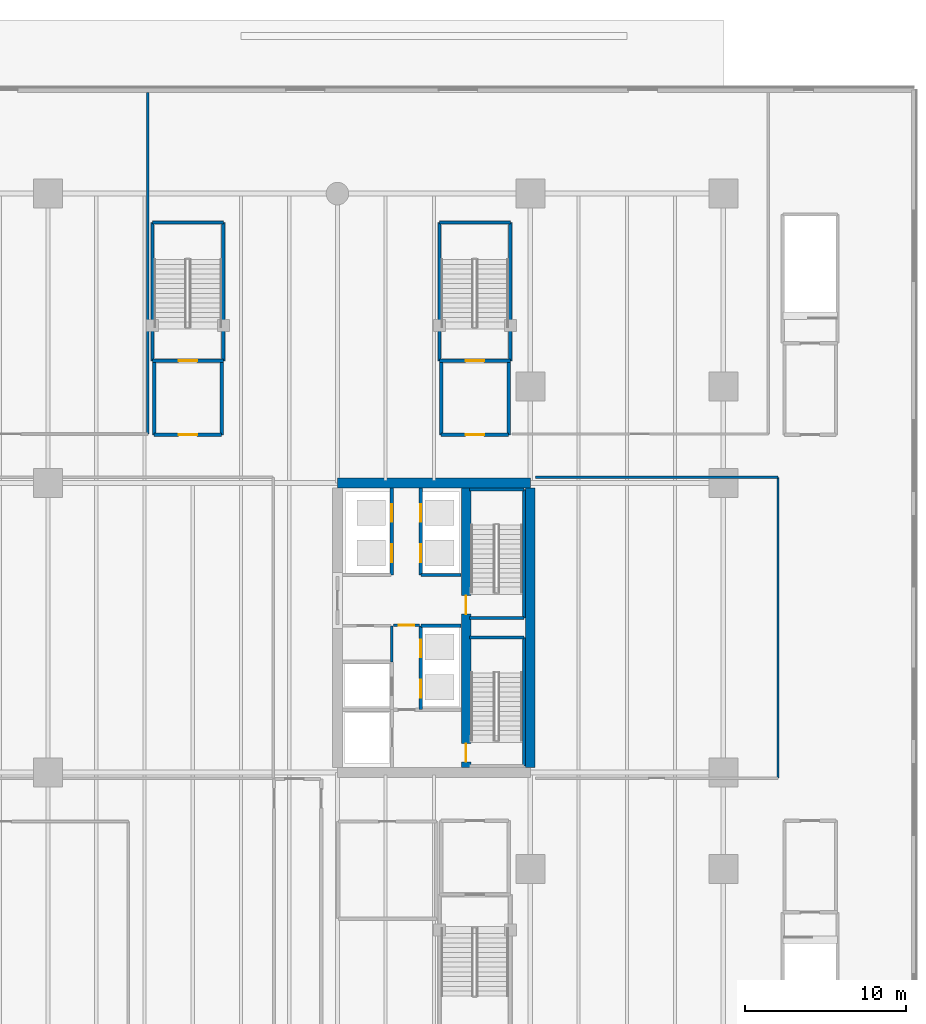
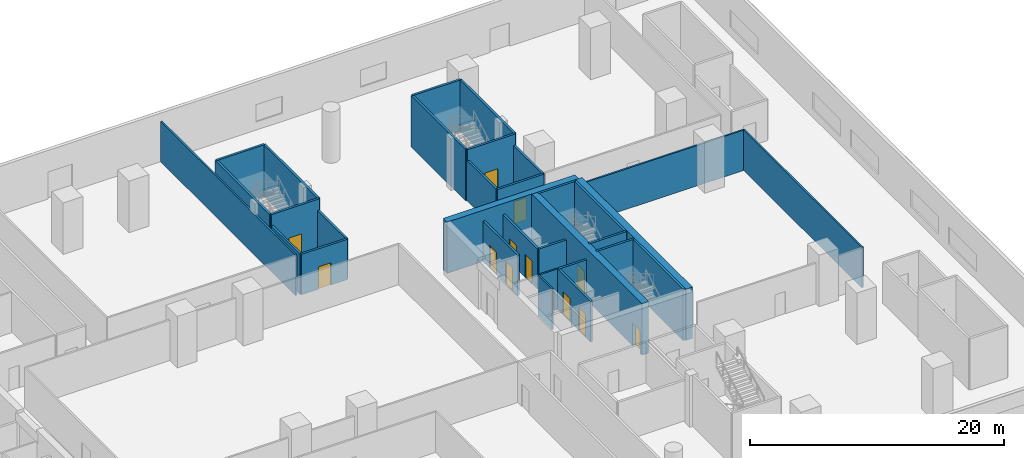
# One storey, part 9 of 25: 32 walls, 13 doors, 13 openings.
"""IFC4 building model written with IfcOpenShell, lengths in metres."""

from ifc_helpers import new_model, si_unit, direction, frame, frame_2d, origin, place, context, subcontext, project, spatial, rectangle, extrude, material, layer, layer_set, type_object, element, fill, save


model = new_model("IFC4")

# Units and contexts
model_context = context("Model", 3, precision=1e-05, world=origin(), true_north=direction((0.0, 1.0)))
body_context = subcontext(model_context, "Body", "Model", "MODEL_VIEW")
ifc_project = project(units=[si_unit("LENGTHUNIT", "METRE"), si_unit("AREAUNIT", "SQUARE_METRE"), si_unit("VOLUMEUNIT", "CUBIC_METRE"), si_unit("PLANEANGLEUNIT", "RADIAN"), si_unit("MASSUNIT", "GRAM", prefix="KILO")], contexts=[model_context])

# Site, building, storey
site_placement = place(None, origin())
site = spatial("IfcSite", under=ifc_project, at=site_placement, CompositionType="ELEMENT")
building_placement = place(site_placement, origin())
building = spatial("IfcBuilding", under=site, at=building_placement, Name="Tanjung Sevakor Pilgrim Tower", CompositionType="ELEMENT")
storey_placement = place(building_placement, origin())
storey = spatial("IfcBuildingStorey", under=building, at=storey_placement, Name="L01", CompositionType="ELEMENT", Elevation=0.0)

# Walls
ifc_material_1 = material(Name="Concrete C60/75", Category="concrete")
ifc_layer_1 = layer(ifc_material_1, 0.60009765625)
ifc_layer_set_1 = layer_set([ifc_layer_1], Name="WALL-CW-600")
wall_type_1 = type_object("IfcWallType", Name="WALL-CW-600", PredefinedType="SHEAR", material=ifc_layer_set_1)
wall_1_placement = place(storey_placement, frame((90.0, 42.60009765625, 0.0), z_axis=(0.0, 0.0, 1.0), x_axis=(-1.0, 0.0, 0.0)))
element("IfcWall", 1, at=wall_1_placement, inside=storey, type_object=wall_type_1, Name="L01 E Core North Shear Wall", PredefinedType="SHEAR", context=body_context, shape_type="SweptSolid", body=[
    extrude(rectangle(XDim=12.0, YDim=0.60009765625, at=frame_2d((6.0, 0.0))), origin(), (0.0, 0.0, 1.0), 4.949951171875),
])
wall_2_placement = place(storey_placement, frame((90.0, 24.89990234375, 0.0), z_axis=(0.0, 0.0, 1.0), x_axis=(0.0, 1.0, 0.0)))
element("IfcWall", 2, at=wall_2_placement, inside=storey, type_object=wall_type_1, Name="L01 E Core Outer Shear Wall", PredefinedType="SHEAR", context=body_context, shape_type="SweptSolid", body=[
    extrude(rectangle(XDim=17.400146484375, YDim=0.60009765625, at=frame_2d((8.7001953125, 0.0))), origin(), (0.0, 0.0, 1.0), 4.949951171875),
])

# Wall, openings, doors
wall_3_placement = place(storey_placement, frame((86.0, 24.89990234375, 0.0), z_axis=(0.0, 0.0, 1.0), x_axis=(0.0, 1.0, 0.0)))
wall_3 = element("IfcWall", 3, at=wall_3_placement, inside=storey, type_object=wall_type_1, Name="L01 E Core Stair Spine Wall", PredefinedType="SHEAR", context=body_context, shape_type="SweptSolid", body=[
    extrude(rectangle(XDim=17.400146484375, YDim=0.60009765625, at=frame_2d((8.7001953125, 0.0))), origin(), (0.0, 0.0, 1.0), 4.949951171875),
])
opening_1_placement = place(wall_3_placement, frame((0.35009765625, 0.0, 0.0)))
opening_1 = element("IfcOpeningElement", 4, at=opening_1_placement, cuts=wall_3, Name="Opening ID-ST1", PredefinedType="OPENING", context=body_context, shape_type="SweptSolid", body=[
    extrude(rectangle(XDim=1.14990234375, YDim=2.14990234375, at=frame_2d((0.574951171875, 1.074951171875))), frame((0.0, 0.31005859375, 0.0), z_axis=(0.0, -1.0, 0.0), x_axis=(1.0, 0.0, 0.0)), (0.0, 0.0, 1.0), 0.6201171875),
])
opening_2_placement = place(wall_3_placement, frame((9.550048828125, 0.0, 0.0)))
opening_2 = element("IfcOpeningElement", 5, at=opening_2_placement, cuts=wall_3, Name="Opening ID-ST1", PredefinedType="OPENING", context=body_context, shape_type="SweptSolid", body=[
    extrude(rectangle(XDim=1.14990234375, YDim=2.14990234375, at=frame_2d((0.574951171875, 1.074951171875))), frame((0.0, 0.31005859375, 0.0), z_axis=(0.0, -1.0, 0.0), x_axis=(1.0, 0.0, 0.0)), (0.0, 0.0, 1.0), 0.6201171875),
])
ifc_material_2 = material(Name="Fire-Rated Steel S355J2", Category="steel")
door_type_1 = type_object("IfcDoorType", Name="DT-FIRE-1150", OperationType="NOTDEFINED", PredefinedType="DOOR", material=ifc_material_2)
door_1_placement = place(opening_1_placement, origin())
door_1 = element("IfcDoor", 6, at=door_1_placement, inside=storey, type_object=door_type_1, Name="L01 TS-E1 Stair Fire Door", OperationType="SINGLE_SWING_LEFT", OverallHeight=2.14990234375, OverallWidth=1.14990234375, PredefinedType="DOOR", context=body_context, shape_type="SweptSolid", body=[
    extrude(rectangle(XDim=1.14990234375, YDim=2.14990234375, at=frame_2d((0.574951171875, 1.074951171875))), frame((0.0, 0.02490234375, 0.0), z_axis=(0.0, -1.0, 0.0), x_axis=(1.0, 0.0, 0.0)), (0.0, 0.0, 1.0), 0.050048828125),
])
fill(opening_1, door_1)
door_2_placement = place(opening_2_placement, origin())
door_2 = element("IfcDoor", 7, at=door_2_placement, inside=storey, type_object=door_type_1, Name="L01 TS-E2 Stair Fire Door", OperationType="SINGLE_SWING_RIGHT", OverallHeight=2.14990234375, OverallWidth=1.14990234375, PredefinedType="DOOR", context=body_context, shape_type="SweptSolid", body=[
    extrude(rectangle(XDim=1.14990234375, YDim=2.14990234375, at=frame_2d((0.574951171875, 1.074951171875))), frame((0.0, 0.02490234375, 0.0), z_axis=(0.0, -1.0, 0.0), x_axis=(1.0, 0.0, 0.0)), (0.0, 0.0, 1.0), 0.050048828125),
])
fill(opening_2, door_2)

# Wall, opening, door
ifc_material_3 = material(Name="Concrete C40/50", Category="concrete")
ifc_layer_2 = layer(ifc_material_3, 0.14990234375)
ifc_layer_set_2 = layer_set([ifc_layer_2], Name="WT-COMP-150")
wall_type_2 = type_object("IfcWallType", Name="WT-COMP-150", PredefinedType="SOLIDWALL", material=ifc_layer_set_2)
wall_4_placement = place(storey_placement, frame((81.5, 33.760009765625, 0.0), z_axis=(0.0, 0.0, 1.0), x_axis=(1.0, 0.0, 0.0)))
wall_4 = element("IfcWall", 8, at=wall_4_placement, inside=storey, type_object=wall_type_2, Name="L01 Partition IW-L01-018", PredefinedType="SOLIDWALL", context=body_context, shape_type="SweptSolid", body=[
    extrude(rectangle(XDim=1.60009765625, YDim=0.14990234375, at=frame_2d((0.800048828125, 0.0))), origin(), (0.0, 0.0, 1.0), 3.889892578125),
])
opening_3_placement = place(wall_4_placement, frame((0.324951171875, 0.0, 0.0)))
opening_3 = element("IfcOpeningElement", 9, at=opening_3_placement, cuts=wall_4, Name="Opening ID-FD2", PredefinedType="OPENING", context=body_context, shape_type="SweptSolid", body=[
    extrude(rectangle(XDim=0.949951171875, YDim=2.14990234375, at=frame_2d((0.47509765625, 1.074951171875))), frame((0.0, 0.0849609375, 0.0), z_axis=(0.0, -1.0, 0.0), x_axis=(1.0, 0.0, 0.0)), (0.0, 0.0, 1.0), 0.169921875),
])
ifc_material_4 = material(Name="Fire-Rated Timber", Category="wood")
door_type_2 = type_object("IfcDoorType", Name="DT-FIRE-950", OperationType="NOTDEFINED", PredefinedType="DOOR", material=ifc_material_4)
door_3_placement = place(opening_3_placement, origin())
door_3 = element("IfcDoor", 10, at=door_3_placement, inside=storey, type_object=door_type_2, Name="L01 South Core E Exit Door", OperationType="SINGLE_SWING_LEFT", OverallHeight=2.14990234375, OverallWidth=0.949951171875, PredefinedType="DOOR", context=body_context, shape_type="SweptSolid", body=[
    extrude(rectangle(XDim=0.949951171875, YDim=2.14990234375, at=frame_2d((0.47509765625, 1.074951171875))), frame((0.0, 0.02490234375, 0.0), z_axis=(0.0, -1.0, 0.0), x_axis=(1.0, 0.0, 0.0)), (0.0, 0.0, 1.0), 0.050048828125),
])
fill(opening_3, door_3)

# Walls
wall_5_placement = place(storey_placement, frame((81.3798828125, 31.47998046875, 0.0), z_axis=(0.0, 0.0, 1.0), x_axis=(0.0, 1.0, 0.0)))
element("IfcWall", 11, at=wall_5_placement, inside=storey, type_object=wall_type_2, Name="L01 Partition IW-L01-023", PredefinedType="SOLIDWALL", context=body_context, shape_type="SweptSolid", body=[
    extrude(rectangle(XDim=2.239990234375, YDim=0.14990234375, at=frame_2d((1.1201171875, 0.0))), origin(), (0.0, 0.0, 1.0), 3.889892578125),
])
wall_6_placement = place(storey_placement, frame((66.199951171875, 45.64990234375, 0.0), z_axis=(0.0, 0.0, 1.0), x_axis=(0.0, 1.0, 0.0)))
element("IfcWall", 12, at=wall_6_placement, inside=storey, type_object=wall_type_2, Name="L01 Partition IW-L01-076", PredefinedType="SOLIDWALL", context=body_context, shape_type="SweptSolid", body=[
    extrude(rectangle(XDim=21.25, YDim=0.14990234375, at=frame_2d((10.625, 0.0))), origin(), (0.0, 0.0, 1.0), 3.889892578125),
])
wall_7_placement = place(storey_placement, frame((90.320068359375, 42.949951171875, 0.0), z_axis=(0.0, 0.0, 1.0), x_axis=(1.0, 0.0, 0.0)))
element("IfcWall", 13, at=wall_7_placement, inside=storey, type_object=wall_type_2, Name="L01 Partition IW-L01-086", PredefinedType="SOLIDWALL", context=body_context, shape_type="SweptSolid", body=[
    extrude(rectangle(XDim=15.079833984375, YDim=0.14990234375, at=frame_2d((7.5400390625, 0.0))), origin(), (0.0, 0.0, 1.0), 3.889892578125),
])
wall_8_placement = place(storey_placement, frame((105.39990234375, 24.25, 0.0), z_axis=(0.0, 0.0, 1.0), x_axis=(0.0, 1.0, 0.0)))
element("IfcWall", 14, at=wall_8_placement, inside=storey, type_object=wall_type_2, Name="L01 Partition IW-L01-087", PredefinedType="SOLIDWALL", context=body_context, shape_type="SweptSolid", body=[
    extrude(rectangle(XDim=18.699951171875, YDim=0.14990234375, at=frame_2d((9.35009765625, 0.0))), origin(), (0.0, 0.0, 1.0), 3.889892578125),
])
ifc_material_5 = material(Name="Concrete C40/50", Category="concrete")
ifc_layer_3 = layer(ifc_material_5, 0.199951171875)
ifc_layer_set_3 = layer_set([ifc_layer_3], Name="WT-FIRE-200")
wall_type_3 = type_object("IfcWallType", Name="WT-FIRE-200", PredefinedType="SOLIDWALL", material=ifc_layer_set_3)
wall_9_placement = place(storey_placement, frame((89.60009765625, 25.0, 0.0), z_axis=(0.0, 0.0, 1.0), x_axis=(0.0, 1.0, 0.0)))
element("IfcWall", 15, at=wall_9_placement, inside=storey, type_object=wall_type_3, Name="L01 TS-E1 Shaft Wall 2", PredefinedType="SOLIDWALL", context=body_context, shape_type="SweptSolid", body=[
    extrude(rectangle(XDim=8.0, YDim=0.199951171875, at=frame_2d((4.0, 0.0))), origin(), (0.0, 0.0, 1.0), 4.949951171875),
])
for number, where, z_axis, x_axis, name in (
    (16, (89.60009765625, 33.0, 0.0), (0.0, 0.0, 1.0), (-1.0, 0.0, 0.0), "L01 TS-E1 Shaft Wall 3"),
    (17, (86.199951171875, 34.199951171875, 0.0), (0.0, 0.0, 1.0), (1.0, 0.0, 0.0), "L01 TS-E2 Shaft Wall 1"),
):
    element("IfcWall", number, at=place(storey_placement, frame(where, z_axis=z_axis, x_axis=x_axis)), inside=storey, type_object=wall_type_3, Name=name, PredefinedType="SOLIDWALL", context=body_context, shape_type="SweptSolid", body=[
        extrude(rectangle(XDim=3.400146484375, YDim=0.199951171875, at=frame_2d((1.7001953125, 0.0))), origin(), (0.0, 0.0, 1.0), 4.949951171875),
    ])
wall_10_placement = place(storey_placement, frame((89.60009765625, 34.199951171875, 0.0), z_axis=(0.0, 0.0, 1.0), x_axis=(0.0, 1.0, 0.0)))
element("IfcWall", 18, at=wall_10_placement, inside=storey, type_object=wall_type_3, Name="L01 TS-E2 Shaft Wall 2", PredefinedType="SOLIDWALL", context=body_context, shape_type="SweptSolid", body=[
    extrude(rectangle(XDim=8.0, YDim=0.199951171875, at=frame_2d((4.0, 0.0))), origin(), (0.0, 0.0, 1.0), 4.949951171875),
])
wall_11_placement = place(storey_placement, frame((89.60009765625, 42.199951171875, 0.0), z_axis=(0.0, 0.0, 1.0), x_axis=(-1.0, 0.0, 0.0)))
element("IfcWall", 19, at=wall_11_placement, inside=storey, type_object=wall_type_3, Name="L01 TS-E2 Shaft Wall 3", PredefinedType="SOLIDWALL", context=body_context, shape_type="SweptSolid", body=[
    extrude(rectangle(XDim=3.400146484375, YDim=0.199951171875, at=frame_2d((1.7001953125, 0.0))), origin(), (0.0, 0.0, 1.0), 4.949951171875),
])

# Wall, opening, door
wall_12_placement = place(storey_placement, frame((66.5, 50.199951171875, 0.0), z_axis=(0.0, 0.0, 1.0), x_axis=(1.0, 0.0, 0.0)))
wall_12 = element("IfcWall", 20, at=wall_12_placement, inside=storey, type_object=wall_type_3, Name="L01 PS-4 Shaft Wall 1", PredefinedType="SOLIDWALL", context=body_context, shape_type="SweptSolid", body=[
    extrude(rectangle(XDim=4.39990234375, YDim=0.199951171875, at=frame_2d((2.199951171875, 0.0))), origin(), (0.0, 0.0, 1.0), 4.949951171875),
])
opening_4_placement = place(wall_12_placement, frame((1.625, 0.0, 0.0)))
opening_4 = element("IfcOpeningElement", 21, at=opening_4_placement, cuts=wall_12, Name="Opening ID-ST1", PredefinedType="OPENING", context=body_context, shape_type="SweptSolid", body=[
    extrude(rectangle(XDim=1.14990234375, YDim=2.14990234375, at=frame_2d((0.574951171875, 1.074951171875))), frame((0.0, 0.10986328125, 0.0), z_axis=(0.0, -1.0, 0.0), x_axis=(1.0, 0.0, 0.0)), (0.0, 0.0, 1.0), 0.219970703125),
])
door_4_placement = place(opening_4_placement, frame((1.14990234375, 0.0, 0.0), z_axis=(0.0, 0.0, 1.0), x_axis=(-1.0, 0.0, 0.0)))
door_4 = element("IfcDoor", 22, at=door_4_placement, inside=storey, type_object=door_type_1, Name="L01 PS-4 Stair Entry Fire Door", OperationType="SINGLE_SWING_RIGHT", OverallHeight=2.14990234375, OverallWidth=1.14990234375, PredefinedType="DOOR", context=body_context, shape_type="SweptSolid", body=[
    extrude(rectangle(XDim=1.14990234375, YDim=2.14990234375, at=frame_2d((0.574951171875, 1.074951171875))), frame((0.0, 0.02490234375, 0.0), z_axis=(0.0, -1.0, 0.0), x_axis=(1.0, 0.0, 0.0)), (0.0, 0.0, 1.0), 0.050048828125),
])
fill(opening_4, door_4)

# Walls
wall_13_placement = place(storey_placement, frame((70.89990234375, 50.199951171875, 0.0), z_axis=(0.0, 0.0, 1.0), x_axis=(0.0, 1.0, 0.0)))
element("IfcWall", 23, at=wall_13_placement, inside=storey, type_object=wall_type_3, Name="L01 PS-4 Shaft Wall 2", PredefinedType="SOLIDWALL", context=body_context, shape_type="SweptSolid", body=[
    extrude(rectangle(XDim=8.60009765625, YDim=0.199951171875, at=frame_2d((4.300048828125, 0.0))), origin(), (0.0, 0.0, 1.0), 4.949951171875),
])
wall_14_placement = place(storey_placement, frame((70.89990234375, 58.800048828125, 0.0), z_axis=(0.0, 0.0, 1.0), x_axis=(-1.0, 0.0, 0.0)))
element("IfcWall", 24, at=wall_14_placement, inside=storey, type_object=wall_type_3, Name="L01 PS-4 Shaft Wall 3", PredefinedType="SOLIDWALL", context=body_context, shape_type="SweptSolid", body=[
    extrude(rectangle(XDim=4.39990234375, YDim=0.199951171875, at=frame_2d((2.199951171875, 0.0))), origin(), (0.0, 0.0, 1.0), 4.949951171875),
])
wall_15_placement = place(storey_placement, frame((66.5, 58.800048828125, 0.0), z_axis=(0.0, 0.0, 1.0), x_axis=(0.0, -1.0, 0.0)))
element("IfcWall", 25, at=wall_15_placement, inside=storey, type_object=wall_type_3, Name="L01 PS-4 Shaft Wall 4", PredefinedType="SOLIDWALL", context=body_context, shape_type="SweptSolid", body=[
    extrude(rectangle(XDim=8.60009765625, YDim=0.199951171875, at=frame_2d((4.300048828125, 0.0))), origin(), (0.0, 0.0, 1.0), 4.949951171875),
])

# Wall, opening, door
wall_16_placement = place(storey_placement, frame((84.35009765625, 50.199951171875, 0.0), z_axis=(0.0, 0.0, 1.0), x_axis=(1.0, 0.0, 0.0)))
wall_16 = element("IfcWall", 26, at=wall_16_placement, inside=storey, type_object=wall_type_3, Name="L01 PS-6 Shaft Wall 1", PredefinedType="SOLIDWALL", context=body_context, shape_type="SweptSolid", body=[
    extrude(rectangle(XDim=4.39990234375, YDim=0.199951171875, at=frame_2d((2.199951171875, 0.0))), origin(), (0.0, 0.0, 1.0), 4.949951171875),
])
opening_5_placement = place(wall_16_placement, frame((1.625, 0.0, 0.0)))
opening_5 = element("IfcOpeningElement", 27, at=opening_5_placement, cuts=wall_16, Name="Opening ID-ST1", PredefinedType="OPENING", context=body_context, shape_type="SweptSolid", body=[
    extrude(rectangle(XDim=1.14990234375, YDim=2.14990234375, at=frame_2d((0.574951171875, 1.074951171875))), frame((0.0, 0.10986328125, 0.0), z_axis=(0.0, -1.0, 0.0), x_axis=(1.0, 0.0, 0.0)), (0.0, 0.0, 1.0), 0.219970703125),
])
door_5_placement = place(opening_5_placement, frame((1.14990234375, 0.0, 0.0), z_axis=(0.0, 0.0, 1.0), x_axis=(-1.0, 0.0, 0.0)))
door_5 = element("IfcDoor", 28, at=door_5_placement, inside=storey, type_object=door_type_1, Name="L01 PS-6 Stair Entry Fire Door", OperationType="SINGLE_SWING_RIGHT", OverallHeight=2.14990234375, OverallWidth=1.14990234375, PredefinedType="DOOR", context=body_context, shape_type="SweptSolid", body=[
    extrude(rectangle(XDim=1.14990234375, YDim=2.14990234375, at=frame_2d((0.574951171875, 1.074951171875))), frame((0.0, 0.02490234375, 0.0), z_axis=(0.0, -1.0, 0.0), x_axis=(1.0, 0.0, 0.0)), (0.0, 0.0, 1.0), 0.050048828125),
])
fill(opening_5, door_5)

# Walls
wall_17_placement = place(storey_placement, frame((88.75, 50.199951171875, 0.0), z_axis=(0.0, 0.0, 1.0), x_axis=(0.0, 1.0, 0.0)))
element("IfcWall", 29, at=wall_17_placement, inside=storey, type_object=wall_type_3, Name="L01 PS-6 Shaft Wall 2", PredefinedType="SOLIDWALL", context=body_context, shape_type="SweptSolid", body=[
    extrude(rectangle(XDim=8.60009765625, YDim=0.199951171875, at=frame_2d((4.300048828125, 0.0))), origin(), (0.0, 0.0, 1.0), 4.949951171875),
])
wall_18_placement = place(storey_placement, frame((88.75, 58.800048828125, 0.0), z_axis=(0.0, 0.0, 1.0), x_axis=(-1.0, 0.0, 0.0)))
element("IfcWall", 30, at=wall_18_placement, inside=storey, type_object=wall_type_3, Name="L01 PS-6 Shaft Wall 3", PredefinedType="SOLIDWALL", context=body_context, shape_type="SweptSolid", body=[
    extrude(rectangle(XDim=4.39990234375, YDim=0.199951171875, at=frame_2d((2.199951171875, 0.0))), origin(), (0.0, 0.0, 1.0), 4.949951171875),
])
wall_19_placement = place(storey_placement, frame((84.35009765625, 58.800048828125, 0.0), z_axis=(0.0, 0.0, 1.0), x_axis=(0.0, -1.0, 0.0)))
element("IfcWall", 31, at=wall_19_placement, inside=storey, type_object=wall_type_3, Name="L01 PS-6 Shaft Wall 4", PredefinedType="SOLIDWALL", context=body_context, shape_type="SweptSolid", body=[
    extrude(rectangle(XDim=8.60009765625, YDim=0.199951171875, at=frame_2d((4.300048828125, 0.0))), origin(), (0.0, 0.0, 1.0), 4.949951171875),
])
ifc_material_6 = material(Name="Concrete C40/50", Category="concrete")
ifc_layer_4 = layer(ifc_material_6, 0.199951171875)
ifc_layer_set_4 = layer_set([ifc_layer_4], Name="WT-FPRT-200")
wall_type_4 = type_object("IfcWallType", Name="WT-FPRT-200", PredefinedType="SOLIDWALL", material=ifc_layer_set_4)
wall_20_placement = place(storey_placement, frame((83.199951171875, 33.719970703125, 0.0), z_axis=(0.0, 0.0, 1.0), x_axis=(1.0, 0.0, 0.0)))
element("IfcWall", 32, at=wall_20_placement, inside=storey, type_object=wall_type_4, Name="L01 Partition IW-L01-019", PredefinedType="SOLIDWALL", context=body_context, shape_type="SweptSolid", body=[
    extrude(rectangle(XDim=2.47998046875, YDim=0.199951171875, at=frame_2d((1.239990234375, 0.0))), origin(), (0.0, 0.0, 1.0), 3.889892578125),
])

# Wall, openings, doors
wall_21_placement = place(storey_placement, frame((83.179931640625, 28.5, 0.0), z_axis=(0.0, 0.0, 1.0), x_axis=(0.0, 1.0, 0.0)))
wall_21 = element("IfcWall", 33, at=wall_21_placement, inside=storey, type_object=wall_type_4, Name="L01 Partition IW-L01-020", PredefinedType="SOLIDWALL", context=body_context, shape_type="SweptSolid", body=[
    extrude(rectangle(XDim=5.219970703125, YDim=0.199951171875, at=frame_2d((2.60986328125, 0.0))), origin(), (0.0, 0.0, 1.0), 3.889892578125),
])
opening_6_placement = place(wall_21_placement, frame((0.75, 0.0, 0.0)))
opening_6 = element("IfcOpeningElement", 34, at=opening_6_placement, cuts=wall_21, Name="Opening LD-1100", PredefinedType="OPENING", context=body_context, shape_type="SweptSolid", body=[
    extrude(rectangle(XDim=1.10009765625, YDim=2.199951171875, at=frame_2d((0.550048828125, 1.10009765625))), frame((0.0, 0.10986328125, 0.0), z_axis=(0.0, -1.0, 0.0), x_axis=(1.0, 0.0, 0.0)), (0.0, 0.0, 1.0), 0.219970703125),
])
opening_7_placement = place(wall_21_placement, frame((3.25, 0.0, 0.0)))
opening_7 = element("IfcOpeningElement", 35, at=opening_7_placement, cuts=wall_21, Name="Opening LD-1100", PredefinedType="OPENING", context=body_context, shape_type="SweptSolid", body=[
    extrude(rectangle(XDim=1.10009765625, YDim=2.199951171875, at=frame_2d((0.550048828125, 1.10009765625))), frame((0.0, 0.10986328125, 0.0), z_axis=(0.0, -1.0, 0.0), x_axis=(1.0, 0.0, 0.0)), (0.0, 0.0, 1.0), 0.219970703125),
])
ifc_material_7 = material(Name="Brushed Stainless Steel S355J2", Category="steel")
door_type_3 = type_object("IfcDoorType", Name="DT-LIFT-1100", OperationType="SLIDING_TO_LEFT", PredefinedType="DOOR", material=ifc_material_7)
door_6_placement = place(opening_6_placement, origin())
door_6 = element("IfcDoor", 36, at=door_6_placement, inside=storey, type_object=door_type_3, Name="LD-PLL1-E", OperationType="SLIDING_TO_LEFT", OverallHeight=2.199951171875, OverallWidth=1.10009765625, PredefinedType="DOOR", context=body_context, shape_type="SweptSolid", body=[
    extrude(rectangle(XDim=1.10009765625, YDim=2.199951171875, at=frame_2d((0.550048828125, 1.10009765625))), frame((0.0, 0.02490234375, 0.0), z_axis=(0.0, -1.0, 0.0), x_axis=(1.0, 0.0, 0.0)), (0.0, 0.0, 1.0), 0.050048828125),
])
fill(opening_6, door_6)
door_7_placement = place(opening_7_placement, origin())
door_7 = element("IfcDoor", 37, at=door_7_placement, inside=storey, type_object=door_type_3, Name="LD-PLL2-E", OperationType="SLIDING_TO_RIGHT", OverallHeight=2.199951171875, OverallWidth=1.10009765625, PredefinedType="DOOR", context=body_context, shape_type="SweptSolid", body=[
    extrude(rectangle(XDim=1.10009765625, YDim=2.199951171875, at=frame_2d((0.550048828125, 1.10009765625))), frame((0.0, 0.02490234375, 0.0), z_axis=(0.0, -1.0, 0.0), x_axis=(1.0, 0.0, 0.0)), (0.0, 0.0, 1.0), 0.050048828125),
])
fill(opening_7, door_7)

# Wall
wall_22_placement = place(storey_placement, frame((83.199951171875, 36.8798828125, 0.0), z_axis=(0.0, 0.0, 1.0), x_axis=(1.0, 0.0, 0.0)))
element("IfcWall", 38, at=wall_22_placement, inside=storey, type_object=wall_type_4, Name="L01 Partition IW-L01-025", PredefinedType="SOLIDWALL", context=body_context, shape_type="SweptSolid", body=[
    extrude(rectangle(XDim=2.47998046875, YDim=0.199951171875, at=frame_2d((1.239990234375, 0.0))), origin(), (0.0, 0.0, 1.0), 3.889892578125),
])

# Wall, openings, doors
wall_23_placement = place(storey_placement, frame((83.179931640625, 36.8798828125, 0.0), z_axis=(0.0, 0.0, 1.0), x_axis=(0.0, 1.0, 0.0)))
wall_23 = element("IfcWall", 39, at=wall_23_placement, inside=storey, type_object=wall_type_4, Name="L01 Partition IW-L01-026", PredefinedType="SOLIDWALL", context=body_context, shape_type="SweptSolid", body=[
    extrude(rectangle(XDim=5.420166015625, YDim=0.199951171875, at=frame_2d((2.7099609375, 0.0))), origin(), (0.0, 0.0, 1.0), 3.889892578125),
])
opening_8_placement = place(wall_23_placement, frame((0.800048828125, 0.0, 0.0)))
opening_8 = element("IfcOpeningElement", 40, at=opening_8_placement, cuts=wall_23, Name="Opening LD-1100", PredefinedType="OPENING", context=body_context, shape_type="SweptSolid", body=[
    extrude(rectangle(XDim=1.10009765625, YDim=2.199951171875, at=frame_2d((0.550048828125, 1.10009765625))), frame((0.0, 0.10986328125, 0.0), z_axis=(0.0, -1.0, 0.0), x_axis=(1.0, 0.0, 0.0)), (0.0, 0.0, 1.0), 0.219970703125),
])
opening_9_placement = place(wall_23_placement, frame((3.300048828125, 0.0, 0.0)))
opening_9 = element("IfcOpeningElement", 41, at=opening_9_placement, cuts=wall_23, Name="Opening LD-1100", PredefinedType="OPENING", context=body_context, shape_type="SweptSolid", body=[
    extrude(rectangle(XDim=1.10009765625, YDim=2.199951171875, at=frame_2d((0.550048828125, 1.10009765625))), frame((0.0, 0.10986328125, 0.0), z_axis=(0.0, -1.0, 0.0), x_axis=(1.0, 0.0, 0.0)), (0.0, 0.0, 1.0), 0.219970703125),
])
door_8_placement = place(opening_8_placement, origin())
door_8 = element("IfcDoor", 42, at=door_8_placement, inside=storey, type_object=door_type_3, Name="LD-PLM1-E", OperationType="SLIDING_TO_LEFT", OverallHeight=2.199951171875, OverallWidth=1.10009765625, PredefinedType="DOOR", context=body_context, shape_type="SweptSolid", body=[
    extrude(rectangle(XDim=1.10009765625, YDim=2.199951171875, at=frame_2d((0.550048828125, 1.10009765625))), frame((0.0, 0.02490234375, 0.0), z_axis=(0.0, -1.0, 0.0), x_axis=(1.0, 0.0, 0.0)), (0.0, 0.0, 1.0), 0.050048828125),
])
fill(opening_8, door_8)
door_9_placement = place(opening_9_placement, origin())
door_9 = element("IfcDoor", 43, at=door_9_placement, inside=storey, type_object=door_type_3, Name="LD-PLM2-E", OperationType="SLIDING_TO_RIGHT", OverallHeight=2.199951171875, OverallWidth=1.10009765625, PredefinedType="DOOR", context=body_context, shape_type="SweptSolid", body=[
    extrude(rectangle(XDim=1.10009765625, YDim=2.199951171875, at=frame_2d((0.550048828125, 1.10009765625))), frame((0.0, 0.02490234375, 0.0), z_axis=(0.0, -1.0, 0.0), x_axis=(1.0, 0.0, 0.0)), (0.0, 0.0, 1.0), 0.050048828125),
])
fill(opening_9, door_9)

wall_24_placement = place(storey_placement, frame((81.3798828125, 36.8798828125, 0.0), z_axis=(0.0, 0.0, 1.0), x_axis=(0.0, 1.0, 0.0)))
wall_24 = element("IfcWall", 44, at=wall_24_placement, inside=storey, type_object=wall_type_4, Name="L01 Partition IW-L01-028", PredefinedType="SOLIDWALL", context=body_context, shape_type="SweptSolid", body=[
    extrude(rectangle(XDim=5.420166015625, YDim=0.199951171875, at=frame_2d((2.7099609375, 0.0))), origin(), (0.0, 0.0, 1.0), 3.889892578125),
])
opening_10_placement = place(wall_24_placement, frame((0.800048828125, 0.0, 0.0)))
opening_10 = element("IfcOpeningElement", 45, at=opening_10_placement, cuts=wall_24, Name="Opening LD-1100", PredefinedType="OPENING", context=body_context, shape_type="SweptSolid", body=[
    extrude(rectangle(XDim=1.10009765625, YDim=2.199951171875, at=frame_2d((0.550048828125, 1.10009765625))), frame((0.0, 0.10986328125, 0.0), z_axis=(0.0, -1.0, 0.0), x_axis=(1.0, 0.0, 0.0)), (0.0, 0.0, 1.0), 0.219970703125),
])
opening_11_placement = place(wall_24_placement, frame((3.300048828125, 0.0, 0.0)))
opening_11 = element("IfcOpeningElement", 46, at=opening_11_placement, cuts=wall_24, Name="Opening LD-1100", PredefinedType="OPENING", context=body_context, shape_type="SweptSolid", body=[
    extrude(rectangle(XDim=1.10009765625, YDim=2.199951171875, at=frame_2d((0.550048828125, 1.10009765625))), frame((0.0, 0.10986328125, 0.0), z_axis=(0.0, -1.0, 0.0), x_axis=(1.0, 0.0, 0.0)), (0.0, 0.0, 1.0), 0.219970703125),
])
door_10_placement = place(opening_10_placement, origin())
door_10 = element("IfcDoor", 47, at=door_10_placement, inside=storey, type_object=door_type_3, Name="LD-PLH1-E", OperationType="SLIDING_TO_LEFT", OverallHeight=2.199951171875, OverallWidth=1.10009765625, PredefinedType="DOOR", context=body_context, shape_type="SweptSolid", body=[
    extrude(rectangle(XDim=1.10009765625, YDim=2.199951171875, at=frame_2d((0.550048828125, 1.10009765625))), frame((0.0, 0.02490234375, 0.0), z_axis=(0.0, -1.0, 0.0), x_axis=(1.0, 0.0, 0.0)), (0.0, 0.0, 1.0), 0.050048828125),
])
fill(opening_10, door_10)
door_11_placement = place(opening_11_placement, origin())
door_11 = element("IfcDoor", 48, at=door_11_placement, inside=storey, type_object=door_type_3, Name="LD-PLH2-E", OperationType="SLIDING_TO_RIGHT", OverallHeight=2.199951171875, OverallWidth=1.10009765625, PredefinedType="DOOR", context=body_context, shape_type="SweptSolid", body=[
    extrude(rectangle(XDim=1.10009765625, YDim=2.199951171875, at=frame_2d((0.550048828125, 1.10009765625))), frame((0.0, 0.02490234375, 0.0), z_axis=(0.0, -1.0, 0.0), x_axis=(1.0, 0.0, 0.0)), (0.0, 0.0, 1.0), 0.050048828125),
])
fill(opening_11, door_11)

# Walls
for number, where, z_axis, x_axis, name in (
    (49, (66.60009765625, 45.60009765625, 0.0), (0.0, 0.0, 1.0), (0.0, 1.0, 0.0), "L01 Partition IW-L01-043"),
    (50, (70.800048828125, 45.60009765625, 0.0), (0.0, 0.0, 1.0), (0.0, 1.0, 0.0), "L01 Partition IW-L01-044"),
):
    element("IfcWall", number, at=place(storey_placement, frame(where, z_axis=z_axis, x_axis=x_axis)), inside=storey, type_object=wall_type_4, Name=name, PredefinedType="SOLIDWALL", context=body_context, shape_type="SweptSolid", body=[
        extrude(rectangle(XDim=4.599853515625, YDim=0.199951171875, at=frame_2d((2.2998046875, 0.0))), origin(), (0.0, 0.0, 1.0), 3.889892578125),
    ])

# Wall, opening, door
wall_25_placement = place(storey_placement, frame((66.60009765625, 45.60009765625, 0.0), z_axis=(0.0, 0.0, 1.0), x_axis=(1.0, 0.0, 0.0)))
wall_25 = element("IfcWall", 51, at=wall_25_placement, inside=storey, type_object=wall_type_4, Name="L01 Partition IW-L01-045", PredefinedType="SOLIDWALL", context=body_context, shape_type="SweptSolid", body=[
    extrude(rectangle(XDim=4.199951171875, YDim=0.199951171875, at=frame_2d((2.10009765625, 0.0))), origin(), (0.0, 0.0, 1.0), 3.889892578125),
])
opening_12_placement = place(wall_25_placement, frame((1.52490234375, 0.0, 0.0)))
opening_12 = element("IfcOpeningElement", 52, at=opening_12_placement, cuts=wall_25, Name="Opening ID-ST1", PredefinedType="OPENING", context=body_context, shape_type="SweptSolid", body=[
    extrude(rectangle(XDim=1.14990234375, YDim=2.14990234375, at=frame_2d((0.574951171875, 1.074951171875))), frame((0.0, 0.10986328125, 0.0), z_axis=(0.0, -1.0, 0.0), x_axis=(1.0, 0.0, 0.0)), (0.0, 0.0, 1.0), 0.219970703125),
])
door_12_placement = place(opening_12_placement, frame((1.14990234375, 0.0, 0.0), z_axis=(0.0, 0.0, 1.0), x_axis=(-1.0, 0.0, 0.0)))
door_12 = element("IfcDoor", 53, at=door_12_placement, inside=storey, type_object=door_type_1, Name="L01 Stair Lobby PS4 Exit Door", OperationType="SINGLE_SWING_RIGHT", OverallHeight=2.14990234375, OverallWidth=1.14990234375, PredefinedType="DOOR", context=body_context, shape_type="SweptSolid", body=[
    extrude(rectangle(XDim=1.14990234375, YDim=2.14990234375, at=frame_2d((0.574951171875, 1.074951171875))), frame((0.0, 0.02490234375, 0.0), z_axis=(0.0, -1.0, 0.0), x_axis=(1.0, 0.0, 0.0)), (0.0, 0.0, 1.0), 0.050048828125),
])
fill(opening_12, door_12)

# Walls
for number, where, z_axis, x_axis, name in (
    (54, (84.449951171875, 45.60009765625, 0.0), (0.0, 0.0, 1.0), (0.0, 1.0, 0.0), "L01 Partition IW-L01-046"),
    (55, (88.64990234375, 45.60009765625, 0.0), (0.0, 0.0, 1.0), (0.0, 1.0, 0.0), "L01 Partition IW-L01-047"),
):
    element("IfcWall", number, at=place(storey_placement, frame(where, z_axis=z_axis, x_axis=x_axis)), inside=storey, type_object=wall_type_4, Name=name, PredefinedType="SOLIDWALL", context=body_context, shape_type="SweptSolid", body=[
        extrude(rectangle(XDim=4.599853515625, YDim=0.199951171875, at=frame_2d((2.2998046875, 0.0))), origin(), (0.0, 0.0, 1.0), 3.889892578125),
    ])

# Wall, opening, door
wall_26_placement = place(storey_placement, frame((84.449951171875, 45.60009765625, 0.0), z_axis=(0.0, 0.0, 1.0), x_axis=(1.0, 0.0, 0.0)))
wall_26 = element("IfcWall", 56, at=wall_26_placement, inside=storey, type_object=wall_type_4, Name="L01 Partition IW-L01-048", PredefinedType="SOLIDWALL", context=body_context, shape_type="SweptSolid", body=[
    extrude(rectangle(XDim=4.199951171875, YDim=0.199951171875, at=frame_2d((2.10009765625, 0.0))), origin(), (0.0, 0.0, 1.0), 3.889892578125),
])
opening_13_placement = place(wall_26_placement, frame((1.52490234375, 0.0, 0.0)))
opening_13 = element("IfcOpeningElement", 57, at=opening_13_placement, cuts=wall_26, Name="Opening ID-ST1", PredefinedType="OPENING", context=body_context, shape_type="SweptSolid", body=[
    extrude(rectangle(XDim=1.14990234375, YDim=2.14990234375, at=frame_2d((0.574951171875, 1.074951171875))), frame((0.0, 0.10986328125, 0.0), z_axis=(0.0, -1.0, 0.0), x_axis=(1.0, 0.0, 0.0)), (0.0, 0.0, 1.0), 0.219970703125),
])
door_13_placement = place(opening_13_placement, frame((1.14990234375, 0.0, 0.0), z_axis=(0.0, 0.0, 1.0), x_axis=(-1.0, 0.0, 0.0)))
door_13 = element("IfcDoor", 58, at=door_13_placement, inside=storey, type_object=door_type_1, Name="L01 Stair Lobby PS6 Exit Door", OperationType="SINGLE_SWING_LEFT", OverallHeight=2.14990234375, OverallWidth=1.14990234375, PredefinedType="DOOR", context=body_context, shape_type="SweptSolid", body=[
    extrude(rectangle(XDim=1.14990234375, YDim=2.14990234375, at=frame_2d((0.574951171875, 1.074951171875))), frame((0.0, 0.02490234375, 0.0), z_axis=(0.0, -1.0, 0.0), x_axis=(1.0, 0.0, 0.0)), (0.0, 0.0, 1.0), 0.050048828125),
])
fill(opening_13, door_13)

save(model, "model.ifc")
